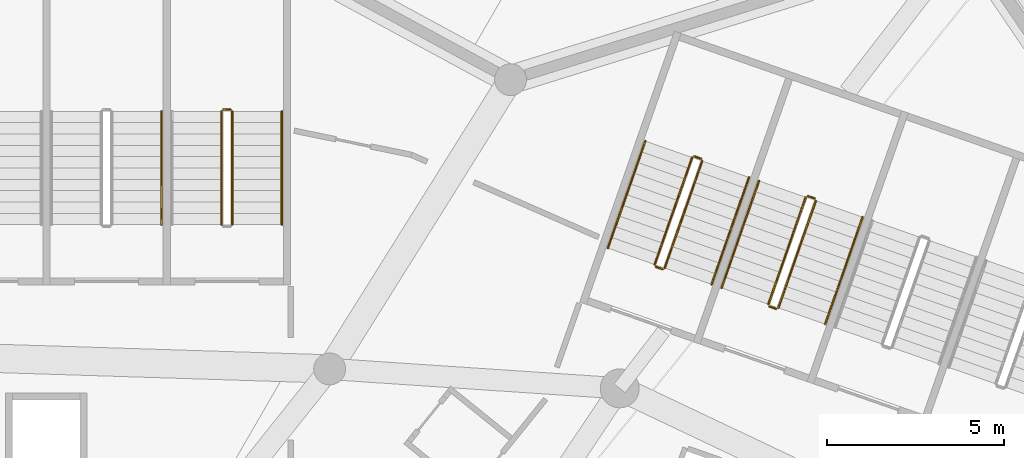
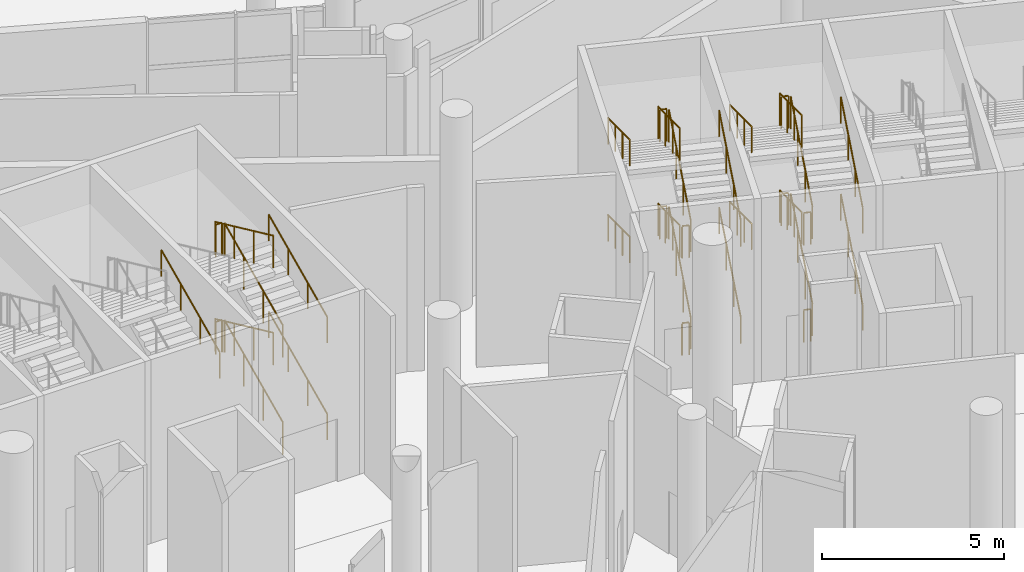
# One storey, part 250 of 255: 33 railings.
"""IFC4 building model written with IfcOpenShell, lengths in metres."""

from ifc_helpers import new_model, si_unit, direction, frame, origin, origin_2d, place, context, subcontext, project, spatial, circle, extrude, material, type_object, element, save


model = new_model("IFC4")

# Units and contexts
model_context = context("Model", 3, precision=1e-05, world=origin(), true_north=direction((0.0, 1.0)))
body_context = subcontext(model_context, "Body", "Model", "MODEL_VIEW")
ifc_project = project(units=[si_unit("LENGTHUNIT", "METRE"), si_unit("AREAUNIT", "SQUARE_METRE"), si_unit("VOLUMEUNIT", "CUBIC_METRE"), si_unit("PLANEANGLEUNIT", "RADIAN"), si_unit("MASSUNIT", "GRAM", prefix="KILO")], contexts=[model_context])

# Site, building, storey
site_placement = place(None, origin())
site = spatial("IfcSite", under=ifc_project, at=site_placement, CompositionType="ELEMENT")
building_placement = place(site_placement, origin())
building = spatial("IfcBuilding", under=site, at=building_placement, Name="Meseta Stadium", CompositionType="ELEMENT")
storey_placement = place(building_placement, origin())
storey = spatial("IfcBuildingStorey", under=building, at=storey_placement, Name="L00", CompositionType="ELEMENT", Elevation=0.0)

# Railings
ifc_material_1 = material(Name="Steel S355", Category="steel")
railing_type_1 = type_object("IfcRailingType", Name="Stair guard 1100", PredefinedType="GUARDRAIL", material=ifc_material_1)
railing_1_placement = place(storey_placement, frame((59.003173828125, 91.85400390625, 0.147705078125)))
element("IfcRailing", 1, at=railing_1_placement, inside=storey, type_object=railing_type_1, Name="ST31 L00 guard 1", PredefinedType="GUARDRAIL", context=body_context, shape_type="SweptSolid", body=[
    extrude(circle(Radius=0.02392578125, at=origin_2d()), frame((0.0, 0.0, 1.076171875), z_axis=(0.299858671601, 0.856976550022, 0.419137172986), x_axis=(-0.943886898693, 0.330268863922, 0.0)), (0.0, 0.0, 1.0), 3.524658203125),
    extrude(circle(Radius=0.02099609375, at=origin_2d()), origin(), (0.0, 0.0, 1.0), 1.052001953125),
    extrude(circle(Radius=0.02099609375, at=origin_2d()), frame((0.352294921875, 1.0068359375, 0.492431640625)), (0.0, 0.0, 1.0), 1.052001953125),
    extrude(circle(Radius=0.02099609375, at=origin_2d()), frame((0.70458984375, 2.013671875, 0.98486328125)), (0.0, 0.0, 1.0), 1.052001953125),
    extrude(circle(Radius=0.02099609375, at=origin_2d()), frame((1.056884765625, 3.0205078125, 1.477294921875)), (0.0, 0.0, 1.0), 1.052001953125),
])
railing_2_placement = place(storey_placement, frame((60.029296875, 94.938232421875, 1.625)))
element("IfcRailing", 2, at=railing_2_placement, inside=storey, type_object=railing_type_1, Name="ST31 L00 guard 2", PredefinedType="GUARDRAIL", context=body_context, shape_type="SweptSolid", body=[
    extrude(circle(Radius=0.02392578125, at=origin_2d()), frame((0.0, 0.0, 1.076171875), z_axis=(-0.944067610699, 0.329751946816, 0.0), x_axis=(-0.329751946816, -0.944067610699, 0.0)), (0.0, 0.0, 1.0), 0.199951171875),
    extrude(circle(Radius=0.02099609375, at=origin_2d()), origin(), (0.0, 0.0, 1.0), 1.052001953125),
    extrude(circle(Radius=0.02099609375, at=origin_2d()), frame((-0.188720703125, 0.06591796875, 0.0)), (0.0, 0.0, 1.0), 1.052001953125),
])
railing_3_placement = place(storey_placement, frame((59.77685546875, 94.9736328125, 1.772705078125)))
element("IfcRailing", 3, at=railing_3_placement, inside=storey, type_object=railing_type_1, Name="ST31 L00 guard 3", PredefinedType="GUARDRAIL", context=body_context, shape_type="SweptSolid", body=[
    extrude(circle(Radius=0.02392578125, at=origin_2d()), frame((0.0, 0.0, 1.076171875), z_axis=(-0.299858671601, -0.856976550022, 0.419137172986), x_axis=(0.943886898693, -0.330268863922, 0.0)), (0.0, 0.0, 1.0), 3.524658203125),
    extrude(circle(Radius=0.02099609375, at=origin_2d()), origin(), (0.0, 0.0, 1.0), 1.052001953125),
    extrude(circle(Radius=0.02099609375, at=origin_2d()), frame((-0.352294921875, -1.0068359375, 0.492431640625)), (0.0, 0.0, 1.0), 1.052001953125),
    extrude(circle(Radius=0.02099609375, at=origin_2d()), frame((-0.70458984375, -2.013671875, 0.98486328125)), (0.0, 0.0, 1.0), 1.052001953125),
    extrude(circle(Radius=0.02099609375, at=origin_2d()), frame((-1.056884765625, -3.0205078125, 1.477294921875)), (0.0, 0.0, 1.0), 1.052001953125),
])
railing_4_placement = place(storey_placement, frame((58.939453125, 91.8232421875, 3.25)))
element("IfcRailing", 4, at=railing_4_placement, inside=storey, type_object=railing_type_1, Name="ST31 L00 guard 4", PredefinedType="GUARDRAIL", context=body_context, shape_type="SweptSolid", body=[
    extrude(circle(Radius=0.02392578125, at=origin_2d()), frame((0.0, 0.0, 1.076171875), z_axis=(-0.943686935281, 0.330839792317, 0.0), x_axis=(-0.330839792317, -0.943686935281, 0.0)), (0.0, 0.0, 1.0), 0.199951171875),
    extrude(circle(Radius=0.02099609375, at=origin_2d()), origin(), (0.0, 0.0, 1.0), 1.052001953125),
    extrude(circle(Radius=0.02099609375, at=origin_2d()), frame((-0.188720703125, 0.066162109375, 0.0)), (0.0, 0.0, 1.0), 1.052001953125),
])
railing_5_placement = place(storey_placement, frame((59.003173828125, 91.85400390625, 3.397705078125)))
element("IfcRailing", 5, at=railing_5_placement, inside=storey, type_object=railing_type_1, Name="ST31 L00 guard 5", PredefinedType="GUARDRAIL", context=body_context, shape_type="SweptSolid", body=[
    extrude(circle(Radius=0.02392578125, at=origin_2d()), frame((0.0, 0.0, 1.076171875), z_axis=(0.299858671601, 0.856976550022, 0.419137172986), x_axis=(-0.943886898693, 0.330268863922, 0.0)), (0.0, 0.0, 1.0), 3.524658203125),
    extrude(circle(Radius=0.02099609375, at=origin_2d()), origin(), (0.0, 0.0, 1.0), 1.052001953125),
    extrude(circle(Radius=0.02099609375, at=origin_2d()), frame((0.352294921875, 1.0068359375, 0.492431640625)), (0.0, 0.0, 1.0), 1.052001953125),
    extrude(circle(Radius=0.02099609375, at=origin_2d()), frame((0.70458984375, 2.013671875, 0.98486328125)), (0.0, 0.0, 1.0), 1.052001953125),
    extrude(circle(Radius=0.02099609375, at=origin_2d()), frame((1.056884765625, 3.0205078125, 1.477294921875)), (0.0, 0.0, 1.0), 1.052001953125),
])
railing_6_placement = place(storey_placement, frame((60.029296875, 94.938232421875, 4.875)))
element("IfcRailing", 6, at=railing_6_placement, inside=storey, type_object=railing_type_1, Name="ST31 L00 guard 6", PredefinedType="GUARDRAIL", context=body_context, shape_type="SweptSolid", body=[
    extrude(circle(Radius=0.02392578125, at=origin_2d()), frame((0.0, 0.0, 1.076171875), z_axis=(-0.944067610699, 0.329751946816, 0.0), x_axis=(-0.329751946816, -0.944067610699, 0.0)), (0.0, 0.0, 1.0), 0.199951171875),
    extrude(circle(Radius=0.02099609375, at=origin_2d()), origin(), (0.0, 0.0, 1.0), 1.052001953125),
    extrude(circle(Radius=0.02099609375, at=origin_2d()), frame((-0.188720703125, 0.06591796875, 0.0)), (0.0, 0.0, 1.0), 1.052001953125),
])
railing_7_placement = place(storey_placement, frame((59.77685546875, 94.9736328125, 5.022705078125)))
element("IfcRailing", 7, at=railing_7_placement, inside=storey, type_object=railing_type_1, Name="ST31 L00 guard 7", PredefinedType="GUARDRAIL", context=body_context, shape_type="SweptSolid", body=[
    extrude(circle(Radius=0.02392578125, at=origin_2d()), frame((0.0, 0.0, 1.076171875), z_axis=(-0.299858671601, -0.856976550022, 0.419137172986), x_axis=(0.943886898693, -0.330268863922, 0.0)), (0.0, 0.0, 1.0), 3.524658203125),
    extrude(circle(Radius=0.02099609375, at=origin_2d()), origin(), (0.0, 0.0, 1.0), 1.052001953125),
    extrude(circle(Radius=0.02099609375, at=origin_2d()), frame((-0.352294921875, -1.0068359375, 0.492431640625)), (0.0, 0.0, 1.0), 1.052001953125),
    extrude(circle(Radius=0.02099609375, at=origin_2d()), frame((-0.70458984375, -2.013671875, 0.98486328125)), (0.0, 0.0, 1.0), 1.052001953125),
    extrude(circle(Radius=0.02099609375, at=origin_2d()), frame((-1.056884765625, -3.0205078125, 1.477294921875)), (0.0, 0.0, 1.0), 1.052001953125),
])
railing_8_placement = place(storey_placement, frame((58.939453125, 91.8232421875, 0.0)))
element("IfcRailing", 8, at=railing_8_placement, inside=storey, type_object=railing_type_1, Name="ST31 L00 guard 8", PredefinedType="GUARDRAIL", context=body_context, shape_type="SweptSolid", body=[
    extrude(circle(Radius=0.02392578125, at=origin_2d()), frame((0.0, 0.0, 1.076171875), z_axis=(-0.943686935281, 0.330839792317, 0.0), x_axis=(-0.330839792317, -0.943686935281, 0.0)), (0.0, 0.0, 1.0), 0.199951171875),
    extrude(circle(Radius=0.02099609375, at=origin_2d()), origin(), (0.0, 0.0, 1.0), 1.052001953125),
    extrude(circle(Radius=0.02099609375, at=origin_2d()), frame((-0.188720703125, 0.066162109375, 0.0)), (0.0, 0.0, 1.0), 1.052001953125),
])
railing_9_placement = place(storey_placement, frame((55.7939453125, 92.97705078125, 0.147705078125)))
element("IfcRailing", 9, at=railing_9_placement, inside=storey, type_object=railing_type_1, Name="ST32 L00 guard 1", PredefinedType="GUARDRAIL", context=body_context, shape_type="SweptSolid", body=[
    extrude(circle(Radius=0.02392578125, at=origin_2d()), frame((0.0, 0.0, 1.076171875), z_axis=(0.299876472244, 0.856958151566, 0.419162054412), x_axis=(-0.943878576031, 0.330292648585, 0.0)), (0.0, 0.0, 1.0), 3.5244140625),
    extrude(circle(Radius=0.02099609375, at=origin_2d()), origin(), (0.0, 0.0, 1.0), 1.052001953125),
    extrude(circle(Radius=0.02099609375, at=origin_2d()), frame((0.352294921875, 1.0068359375, 0.492431640625)), (0.0, 0.0, 1.0), 1.052001953125),
    extrude(circle(Radius=0.02099609375, at=origin_2d()), frame((0.70458984375, 2.013427734375, 0.98486328125)), (0.0, 0.0, 1.0), 1.052001953125),
    extrude(circle(Radius=0.02099609375, at=origin_2d()), frame((1.056884765625, 3.020263671875, 1.477294921875)), (0.0, 0.0, 1.0), 1.052001953125),
])
railing_10_placement = place(storey_placement, frame((56.8203125, 96.06103515625, 1.625)))
element("IfcRailing", 10, at=railing_10_placement, inside=storey, type_object=railing_type_1, Name="ST32 L00 guard 2", PredefinedType="GUARDRAIL", context=body_context, shape_type="SweptSolid", body=[
    extrude(circle(Radius=0.02392578125, at=origin_2d()), frame((0.0, 0.0, 1.076171875), z_axis=(-0.943820328543, 0.330459055601, 0.0), x_axis=(-0.330459055601, -0.943820328543, 0.0)), (0.0, 0.0, 1.0), 0.2001953125),
    extrude(circle(Radius=0.02099609375, at=origin_2d()), origin(), (0.0, 0.0, 1.0), 1.052001953125),
    extrude(circle(Radius=0.02099609375, at=origin_2d()), frame((-0.18896484375, 0.066162109375, 0.0)), (0.0, 0.0, 1.0), 1.052001953125),
])
railing_11_placement = place(storey_placement, frame((56.567626953125, 96.096435546875, 1.772705078125)))
element("IfcRailing", 11, at=railing_11_placement, inside=storey, type_object=railing_type_1, Name="ST32 L00 guard 3", PredefinedType="GUARDRAIL", context=body_context, shape_type="SweptSolid", body=[
    extrude(circle(Radius=0.02392578125, at=origin_2d()), frame((0.0, 0.0, 1.076171875), z_axis=(-0.299876472244, -0.856958151566, 0.419162054412), x_axis=(0.943878576031, -0.330292648585, 0.0)), (0.0, 0.0, 1.0), 3.5244140625),
    extrude(circle(Radius=0.02099609375, at=origin_2d()), origin(), (0.0, 0.0, 1.0), 1.052001953125),
    extrude(circle(Radius=0.02099609375, at=origin_2d()), frame((-0.352294921875, -1.0068359375, 0.492431640625)), (0.0, 0.0, 1.0), 1.052001953125),
    extrude(circle(Radius=0.02099609375, at=origin_2d()), frame((-0.70458984375, -2.013427734375, 0.98486328125)), (0.0, 0.0, 1.0), 1.052001953125),
    extrude(circle(Radius=0.02099609375, at=origin_2d()), frame((-1.056884765625, -3.020263671875, 1.477294921875)), (0.0, 0.0, 1.0), 1.052001953125),
])
railing_12_placement = place(storey_placement, frame((55.730224609375, 92.9462890625, 3.25)))
element("IfcRailing", 12, at=railing_12_placement, inside=storey, type_object=railing_type_1, Name="ST32 L00 guard 4", PredefinedType="GUARDRAIL", context=body_context, shape_type="SweptSolid", body=[
    extrude(circle(Radius=0.02392578125, at=origin_2d()), frame((0.0, 0.0, 1.076171875), z_axis=(-0.943686935281, 0.330839792317, 0.0), x_axis=(-0.330839792317, -0.943686935281, 0.0)), (0.0, 0.0, 1.0), 0.199951171875),
    extrude(circle(Radius=0.02099609375, at=origin_2d()), origin(), (0.0, 0.0, 1.0), 1.052001953125),
    extrude(circle(Radius=0.02099609375, at=origin_2d()), frame((-0.188720703125, 0.066162109375, 0.0)), (0.0, 0.0, 1.0), 1.052001953125),
])
railing_13_placement = place(storey_placement, frame((55.7939453125, 92.97705078125, 3.397705078125)))
element("IfcRailing", 13, at=railing_13_placement, inside=storey, type_object=railing_type_1, Name="ST32 L00 guard 5", PredefinedType="GUARDRAIL", context=body_context, shape_type="SweptSolid", body=[
    extrude(circle(Radius=0.02392578125, at=origin_2d()), frame((0.0, 0.0, 1.076171875), z_axis=(0.299876472244, 0.856958151566, 0.419162054412), x_axis=(-0.943878576031, 0.330292648585, 0.0)), (0.0, 0.0, 1.0), 3.5244140625),
    extrude(circle(Radius=0.02099609375, at=origin_2d()), origin(), (0.0, 0.0, 1.0), 1.052001953125),
    extrude(circle(Radius=0.02099609375, at=origin_2d()), frame((0.352294921875, 1.0068359375, 0.492431640625)), (0.0, 0.0, 1.0), 1.052001953125),
    extrude(circle(Radius=0.02099609375, at=origin_2d()), frame((0.70458984375, 2.013427734375, 0.98486328125)), (0.0, 0.0, 1.0), 1.052001953125),
    extrude(circle(Radius=0.02099609375, at=origin_2d()), frame((1.056884765625, 3.020263671875, 1.477294921875)), (0.0, 0.0, 1.0), 1.052001953125),
])
railing_14_placement = place(storey_placement, frame((56.8203125, 96.06103515625, 4.875)))
element("IfcRailing", 14, at=railing_14_placement, inside=storey, type_object=railing_type_1, Name="ST32 L00 guard 6", PredefinedType="GUARDRAIL", context=body_context, shape_type="SweptSolid", body=[
    extrude(circle(Radius=0.02392578125, at=origin_2d()), frame((0.0, 0.0, 1.076171875), z_axis=(-0.943820328543, 0.330459055601, 0.0), x_axis=(-0.330459055601, -0.943820328543, 0.0)), (0.0, 0.0, 1.0), 0.2001953125),
    extrude(circle(Radius=0.02099609375, at=origin_2d()), origin(), (0.0, 0.0, 1.0), 1.052001953125),
    extrude(circle(Radius=0.02099609375, at=origin_2d()), frame((-0.18896484375, 0.066162109375, 0.0)), (0.0, 0.0, 1.0), 1.052001953125),
])
railing_15_placement = place(storey_placement, frame((56.567626953125, 96.096435546875, 5.022705078125)))
element("IfcRailing", 15, at=railing_15_placement, inside=storey, type_object=railing_type_1, Name="ST32 L00 guard 7", PredefinedType="GUARDRAIL", context=body_context, shape_type="SweptSolid", body=[
    extrude(circle(Radius=0.02392578125, at=origin_2d()), frame((0.0, 0.0, 1.076171875), z_axis=(-0.299876472244, -0.856958151566, 0.419162054412), x_axis=(0.943878576031, -0.330292648585, 0.0)), (0.0, 0.0, 1.0), 3.5244140625),
    extrude(circle(Radius=0.02099609375, at=origin_2d()), origin(), (0.0, 0.0, 1.0), 1.052001953125),
    extrude(circle(Radius=0.02099609375, at=origin_2d()), frame((-0.352294921875, -1.0068359375, 0.492431640625)), (0.0, 0.0, 1.0), 1.052001953125),
    extrude(circle(Radius=0.02099609375, at=origin_2d()), frame((-0.70458984375, -2.013427734375, 0.98486328125)), (0.0, 0.0, 1.0), 1.052001953125),
    extrude(circle(Radius=0.02099609375, at=origin_2d()), frame((-1.056884765625, -3.020263671875, 1.477294921875)), (0.0, 0.0, 1.0), 1.052001953125),
])
railing_16_placement = place(storey_placement, frame((55.730224609375, 92.9462890625, 0.0)))
element("IfcRailing", 16, at=railing_16_placement, inside=storey, type_object=railing_type_1, Name="ST32 L00 guard 8", PredefinedType="GUARDRAIL", context=body_context, shape_type="SweptSolid", body=[
    extrude(circle(Radius=0.02392578125, at=origin_2d()), frame((0.0, 0.0, 1.076171875), z_axis=(-0.943686935281, 0.330839792317, 0.0), x_axis=(-0.330839792317, -0.943686935281, 0.0)), (0.0, 0.0, 1.0), 0.199951171875),
    extrude(circle(Radius=0.02099609375, at=origin_2d()), origin(), (0.0, 0.0, 1.0), 1.052001953125),
    extrude(circle(Radius=0.02099609375, at=origin_2d()), frame((-0.188720703125, 0.066162109375, 0.0)), (0.0, 0.0, 1.0), 1.052001953125),
])
railing_17_placement = place(storey_placement, frame((43.583251953125, 94.199951171875, 0.147705078125)))
element("IfcRailing", 17, at=railing_17_placement, inside=storey, type_object=railing_type_1, Name="ST33 L00 guard 1", PredefinedType="GUARDRAIL", context=body_context, shape_type="SweptSolid", body=[
    extrude(circle(Radius=0.02392578125, at=origin_2d()), frame((0.0, 0.0, 1.076171875), z_axis=(0.0, 0.907916804346, 0.419150422148), x_axis=(-1.0, 0.0, 0.0)), (0.0, 0.0, 1.0), 3.5244140625),
    extrude(circle(Radius=0.02099609375, at=origin_2d()), origin(), (0.0, 0.0, 1.0), 1.052001953125),
    extrude(circle(Radius=0.02099609375, at=origin_2d()), frame((0.0, 1.066650390625, 0.492431640625)), (0.0, 0.0, 1.0), 1.052001953125),
    extrude(circle(Radius=0.02099609375, at=origin_2d()), frame((0.0, 2.13330078125, 0.98486328125)), (0.0, 0.0, 1.0), 1.052001953125),
    extrude(circle(Radius=0.02099609375, at=origin_2d()), frame((0.0, 3.199951171875, 1.477294921875)), (0.0, 0.0, 1.0), 1.052001953125),
])
railing_18_placement = place(storey_placement, frame((43.533447265625, 97.449951171875, 1.625)))
element("IfcRailing", 18, at=railing_18_placement, inside=storey, type_object=railing_type_1, Name="ST33 L00 guard 2", PredefinedType="GUARDRAIL", context=body_context, shape_type="SweptSolid", body=[
    extrude(circle(Radius=0.02392578125, at=origin_2d()), frame((0.0, 0.0, 1.076171875), z_axis=(-1.0, 0.0, 0.0), x_axis=(0.0, -1.0, 0.0)), (0.0, 0.0, 1.0), 0.2001953125),
    extrude(circle(Radius=0.02099609375, at=origin_2d()), origin(), (0.0, 0.0, 1.0), 1.052001953125),
    extrude(circle(Radius=0.02099609375, at=origin_2d()), frame((-0.2001953125, 0.0, 0.0)), (0.0, 0.0, 1.0), 1.052001953125),
])
railing_19_placement = place(storey_placement, frame((43.283447265625, 97.39990234375, 1.772705078125)))
element("IfcRailing", 19, at=railing_19_placement, inside=storey, type_object=railing_type_1, Name="ST33 L00 guard 3", PredefinedType="GUARDRAIL", context=body_context, shape_type="SweptSolid", body=[
    extrude(circle(Radius=0.02392578125, at=origin_2d()), frame((0.0, 0.0, 1.076171875), z_axis=(0.0, -0.907916804346, 0.419150422148), x_axis=(1.0, 0.0, 0.0)), (0.0, 0.0, 1.0), 3.5244140625),
    extrude(circle(Radius=0.02099609375, at=origin_2d()), origin(), (0.0, 0.0, 1.0), 1.052001953125),
    extrude(circle(Radius=0.02099609375, at=origin_2d()), frame((0.0, -1.066650390625, 0.492431640625)), (0.0, 0.0, 1.0), 1.052001953125),
    extrude(circle(Radius=0.02099609375, at=origin_2d()), frame((0.0, -2.13330078125, 0.98486328125)), (0.0, 0.0, 1.0), 1.052001953125),
    extrude(circle(Radius=0.02099609375, at=origin_2d()), frame((0.0, -3.199951171875, 1.477294921875)), (0.0, 0.0, 1.0), 1.052001953125),
])
railing_20_placement = place(storey_placement, frame((43.583251953125, 94.199951171875, 3.397705078125)))
element("IfcRailing", 20, at=railing_20_placement, inside=storey, type_object=railing_type_1, Name="ST33 L00 guard 5", PredefinedType="GUARDRAIL", context=body_context, shape_type="SweptSolid", body=[
    extrude(circle(Radius=0.02392578125, at=origin_2d()), frame((0.0, 0.0, 1.076171875), z_axis=(0.0, 0.907916804346, 0.419150422148), x_axis=(-1.0, 0.0, 0.0)), (0.0, 0.0, 1.0), 3.5244140625),
    extrude(circle(Radius=0.02099609375, at=origin_2d()), origin(), (0.0, 0.0, 1.0), 1.052001953125),
    extrude(circle(Radius=0.02099609375, at=origin_2d()), frame((0.0, 1.066650390625, 0.492431640625)), (0.0, 0.0, 1.0), 1.052001953125),
    extrude(circle(Radius=0.02099609375, at=origin_2d()), frame((0.0, 2.13330078125, 0.98486328125)), (0.0, 0.0, 1.0), 1.052001953125),
    extrude(circle(Radius=0.02099609375, at=origin_2d()), frame((0.0, 3.199951171875, 1.477294921875)), (0.0, 0.0, 1.0), 1.052001953125),
])
railing_21_placement = place(storey_placement, frame((43.533447265625, 97.449951171875, 4.875)))
element("IfcRailing", 21, at=railing_21_placement, inside=storey, type_object=railing_type_1, Name="ST33 L00 guard 6", PredefinedType="GUARDRAIL", context=body_context, shape_type="SweptSolid", body=[
    extrude(circle(Radius=0.02392578125, at=origin_2d()), frame((0.0, 0.0, 1.076171875), z_axis=(-1.0, 0.0, 0.0), x_axis=(0.0, -1.0, 0.0)), (0.0, 0.0, 1.0), 0.2001953125),
    extrude(circle(Radius=0.02099609375, at=origin_2d()), origin(), (0.0, 0.0, 1.0), 1.052001953125),
    extrude(circle(Radius=0.02099609375, at=origin_2d()), frame((-0.2001953125, 0.0, 0.0)), (0.0, 0.0, 1.0), 1.052001953125),
])
railing_22_placement = place(storey_placement, frame((43.283447265625, 97.39990234375, 5.022705078125)))
element("IfcRailing", 22, at=railing_22_placement, inside=storey, type_object=railing_type_1, Name="ST33 L00 guard 7", PredefinedType="GUARDRAIL", context=body_context, shape_type="SweptSolid", body=[
    extrude(circle(Radius=0.02392578125, at=origin_2d()), frame((0.0, 0.0, 1.076171875), z_axis=(0.0, -0.907916804346, 0.419150422148), x_axis=(1.0, 0.0, 0.0)), (0.0, 0.0, 1.0), 3.5244140625),
    extrude(circle(Radius=0.02099609375, at=origin_2d()), origin(), (0.0, 0.0, 1.0), 1.052001953125),
    extrude(circle(Radius=0.02099609375, at=origin_2d()), frame((0.0, -1.066650390625, 0.492431640625)), (0.0, 0.0, 1.0), 1.052001953125),
    extrude(circle(Radius=0.02099609375, at=origin_2d()), frame((0.0, -2.13330078125, 0.98486328125)), (0.0, 0.0, 1.0), 1.052001953125),
    extrude(circle(Radius=0.02099609375, at=origin_2d()), frame((0.0, -3.199951171875, 1.477294921875)), (0.0, 0.0, 1.0), 1.052001953125),
])
ifc_material_2 = material(Name="Steel S355", Category="steel")
railing_type_2 = type_object("IfcRailingType", Name="Stair handrail 900", PredefinedType="HANDRAIL", material=ifc_material_2)
railing_23_placement = place(storey_placement, frame((60.32470703125, 91.3916015625, 0.147705078125)))
element("IfcRailing", 23, at=railing_23_placement, inside=storey, type_object=railing_type_2, Name="ST31 L00 handrail 1", PredefinedType="HANDRAIL", context=body_context, shape_type="SweptSolid", body=[
    extrude(circle(Radius=0.02392578125, at=origin_2d()), frame((0.0, 0.0, 0.8759765625), z_axis=(0.299858671601, 0.856976550022, 0.419137172986), x_axis=(-0.943886898693, 0.330268863922, 0.0)), (0.0, 0.0, 1.0), 3.524658203125),
    extrude(circle(Radius=0.02099609375, at=origin_2d()), origin(), (0.0, 0.0, 1.0), 0.851806640625),
    extrude(circle(Radius=0.02099609375, at=origin_2d()), frame((0.352294921875, 1.0068359375, 0.492431640625)), (0.0, 0.0, 1.0), 0.851806640625),
    extrude(circle(Radius=0.02099609375, at=origin_2d()), frame((0.70458984375, 2.013671875, 0.98486328125)), (0.0, 0.0, 1.0), 0.851806640625),
    extrude(circle(Radius=0.02099609375, at=origin_2d()), frame((1.056884765625, 3.0205078125, 1.477294921875)), (0.0, 0.0, 1.0), 0.851806640625),
])
railing_24_placement = place(storey_placement, frame((58.45556640625, 95.43603515625, 1.772705078125)))
element("IfcRailing", 24, at=railing_24_placement, inside=storey, type_object=railing_type_2, Name="ST31 L00 handrail 2", PredefinedType="HANDRAIL", context=body_context, shape_type="SweptSolid", body=[
    extrude(circle(Radius=0.02392578125, at=origin_2d()), frame((0.0, 0.0, 0.8759765625), z_axis=(-0.299858671601, -0.856976550022, 0.419137172986), x_axis=(0.943886898693, -0.330268863922, 0.0)), (0.0, 0.0, 1.0), 3.524658203125),
    extrude(circle(Radius=0.02099609375, at=origin_2d()), origin(), (0.0, 0.0, 1.0), 0.851806640625),
    extrude(circle(Radius=0.02099609375, at=origin_2d()), frame((-0.352294921875, -1.0068359375, 0.492431640625)), (0.0, 0.0, 1.0), 0.851806640625),
    extrude(circle(Radius=0.02099609375, at=origin_2d()), frame((-0.70458984375, -2.013671875, 0.98486328125)), (0.0, 0.0, 1.0), 0.851806640625),
    extrude(circle(Radius=0.02099609375, at=origin_2d()), frame((-1.056884765625, -3.0205078125, 1.477294921875)), (0.0, 0.0, 1.0), 0.851806640625),
])
railing_25_placement = place(storey_placement, frame((60.32470703125, 91.3916015625, 3.397705078125)))
element("IfcRailing", 25, at=railing_25_placement, inside=storey, type_object=railing_type_2, Name="ST31 L00 handrail 3", PredefinedType="HANDRAIL", context=body_context, shape_type="SweptSolid", body=[
    extrude(circle(Radius=0.02392578125, at=origin_2d()), frame((0.0, 0.0, 0.8759765625), z_axis=(0.299858671601, 0.856976550022, 0.419137172986), x_axis=(-0.943886898693, 0.330268863922, 0.0)), (0.0, 0.0, 1.0), 3.524658203125),
    extrude(circle(Radius=0.02099609375, at=origin_2d()), origin(), (0.0, 0.0, 1.0), 0.851806640625),
    extrude(circle(Radius=0.02099609375, at=origin_2d()), frame((0.352294921875, 1.0068359375, 0.492431640625)), (0.0, 0.0, 1.0), 0.851806640625),
    extrude(circle(Radius=0.02099609375, at=origin_2d()), frame((0.70458984375, 2.013671875, 0.98486328125)), (0.0, 0.0, 1.0), 0.851806640625),
    extrude(circle(Radius=0.02099609375, at=origin_2d()), frame((1.056884765625, 3.0205078125, 1.477294921875)), (0.0, 0.0, 1.0), 0.851806640625),
])
railing_26_placement = place(storey_placement, frame((58.45556640625, 95.43603515625, 5.022705078125)))
element("IfcRailing", 26, at=railing_26_placement, inside=storey, type_object=railing_type_2, Name="ST31 L00 handrail 4", PredefinedType="HANDRAIL", context=body_context, shape_type="SweptSolid", body=[
    extrude(circle(Radius=0.02392578125, at=origin_2d()), frame((0.0, 0.0, 0.8759765625), z_axis=(-0.299858671601, -0.856976550022, 0.419137172986), x_axis=(0.943886898693, -0.330268863922, 0.0)), (0.0, 0.0, 1.0), 3.524658203125),
    extrude(circle(Radius=0.02099609375, at=origin_2d()), origin(), (0.0, 0.0, 1.0), 0.851806640625),
    extrude(circle(Radius=0.02099609375, at=origin_2d()), frame((-0.352294921875, -1.0068359375, 0.492431640625)), (0.0, 0.0, 1.0), 0.851806640625),
    extrude(circle(Radius=0.02099609375, at=origin_2d()), frame((-0.70458984375, -2.013671875, 0.98486328125)), (0.0, 0.0, 1.0), 0.851806640625),
    extrude(circle(Radius=0.02099609375, at=origin_2d()), frame((-1.056884765625, -3.0205078125, 1.477294921875)), (0.0, 0.0, 1.0), 0.851806640625),
])
railing_27_placement = place(storey_placement, frame((57.115478515625, 92.5146484375, 0.147705078125)))
element("IfcRailing", 27, at=railing_27_placement, inside=storey, type_object=railing_type_2, Name="ST32 L00 handrail 1", PredefinedType="HANDRAIL", context=body_context, shape_type="SweptSolid", body=[
    extrude(circle(Radius=0.02392578125, at=origin_2d()), frame((0.0, 0.0, 0.8759765625), z_axis=(0.299876472244, 0.856958151566, 0.419162054412), x_axis=(-0.943878576031, 0.330292648585, 0.0)), (0.0, 0.0, 1.0), 3.5244140625),
    extrude(circle(Radius=0.02099609375, at=origin_2d()), origin(), (0.0, 0.0, 1.0), 0.851806640625),
    extrude(circle(Radius=0.02099609375, at=origin_2d()), frame((0.352294921875, 1.0068359375, 0.492431640625)), (0.0, 0.0, 1.0), 0.851806640625),
    extrude(circle(Radius=0.02099609375, at=origin_2d()), frame((0.70458984375, 2.013427734375, 0.98486328125)), (0.0, 0.0, 1.0), 0.851806640625),
    extrude(circle(Radius=0.02099609375, at=origin_2d()), frame((1.056884765625, 3.020263671875, 1.477294921875)), (0.0, 0.0, 1.0), 0.851806640625),
])
railing_28_placement = place(storey_placement, frame((55.246337890625, 96.558837890625, 1.772705078125)))
element("IfcRailing", 28, at=railing_28_placement, inside=storey, type_object=railing_type_2, Name="ST32 L00 handrail 2", PredefinedType="HANDRAIL", context=body_context, shape_type="SweptSolid", body=[
    extrude(circle(Radius=0.02392578125, at=origin_2d()), frame((0.0, 0.0, 0.8759765625), z_axis=(-0.299858671601, -0.856976550022, 0.419137172986), x_axis=(0.943886898693, -0.330268863922, 0.0)), (0.0, 0.0, 1.0), 3.524658203125),
    extrude(circle(Radius=0.02099609375, at=origin_2d()), origin(), (0.0, 0.0, 1.0), 0.851806640625),
    extrude(circle(Radius=0.02099609375, at=origin_2d()), frame((-0.352294921875, -1.0068359375, 0.492431640625)), (0.0, 0.0, 1.0), 0.851806640625),
    extrude(circle(Radius=0.02099609375, at=origin_2d()), frame((-0.70458984375, -2.013671875, 0.98486328125)), (0.0, 0.0, 1.0), 0.851806640625),
    extrude(circle(Radius=0.02099609375, at=origin_2d()), frame((-1.056884765625, -3.0205078125, 1.477294921875)), (0.0, 0.0, 1.0), 0.851806640625),
])
railing_29_placement = place(storey_placement, frame((57.115478515625, 92.5146484375, 3.397705078125)))
element("IfcRailing", 29, at=railing_29_placement, inside=storey, type_object=railing_type_2, Name="ST32 L00 handrail 3", PredefinedType="HANDRAIL", context=body_context, shape_type="SweptSolid", body=[
    extrude(circle(Radius=0.02392578125, at=origin_2d()), frame((0.0, 0.0, 0.8759765625), z_axis=(0.299876472244, 0.856958151566, 0.419162054412), x_axis=(-0.943878576031, 0.330292648585, 0.0)), (0.0, 0.0, 1.0), 3.5244140625),
    extrude(circle(Radius=0.02099609375, at=origin_2d()), origin(), (0.0, 0.0, 1.0), 0.851806640625),
    extrude(circle(Radius=0.02099609375, at=origin_2d()), frame((0.352294921875, 1.0068359375, 0.492431640625)), (0.0, 0.0, 1.0), 0.851806640625),
    extrude(circle(Radius=0.02099609375, at=origin_2d()), frame((0.70458984375, 2.013427734375, 0.98486328125)), (0.0, 0.0, 1.0), 0.851806640625),
    extrude(circle(Radius=0.02099609375, at=origin_2d()), frame((1.056884765625, 3.020263671875, 1.477294921875)), (0.0, 0.0, 1.0), 0.851806640625),
])
railing_30_placement = place(storey_placement, frame((55.246337890625, 96.558837890625, 5.022705078125)))
element("IfcRailing", 30, at=railing_30_placement, inside=storey, type_object=railing_type_2, Name="ST32 L00 handrail 4", PredefinedType="HANDRAIL", context=body_context, shape_type="SweptSolid", body=[
    extrude(circle(Radius=0.02392578125, at=origin_2d()), frame((0.0, 0.0, 0.8759765625), z_axis=(-0.299858671601, -0.856976550022, 0.419137172986), x_axis=(0.943886898693, -0.330268863922, 0.0)), (0.0, 0.0, 1.0), 3.524658203125),
    extrude(circle(Radius=0.02099609375, at=origin_2d()), origin(), (0.0, 0.0, 1.0), 0.851806640625),
    extrude(circle(Radius=0.02099609375, at=origin_2d()), frame((-0.352294921875, -1.0068359375, 0.492431640625)), (0.0, 0.0, 1.0), 0.851806640625),
    extrude(circle(Radius=0.02099609375, at=origin_2d()), frame((-0.70458984375, -2.013671875, 0.98486328125)), (0.0, 0.0, 1.0), 0.851806640625),
    extrude(circle(Radius=0.02099609375, at=origin_2d()), frame((-1.056884765625, -3.0205078125, 1.477294921875)), (0.0, 0.0, 1.0), 0.851806640625),
])
for number, where, name in (
    (31, (44.9833984375, 94.199951171875, 0.147705078125), "ST33 L00 handrail 1"),
    (32, (44.9833984375, 94.199951171875, 3.397705078125), "ST33 L00 handrail 3"),
    (33, (41.583251953125, 94.199951171875, 3.397705078125), "ST34 L00 handrail 3"),
):
    element("IfcRailing", number, at=place(storey_placement, frame(where)), inside=storey, type_object=railing_type_2, Name=name, PredefinedType="HANDRAIL", context=body_context, shape_type="SweptSolid", body=[
        extrude(circle(Radius=0.02392578125, at=origin_2d()), frame((0.0, 0.0, 0.8759765625), z_axis=(0.0, 0.907916804346, 0.419150422148), x_axis=(-1.0, 0.0, 0.0)), (0.0, 0.0, 1.0), 3.5244140625),
        extrude(circle(Radius=0.02099609375, at=origin_2d()), origin(), (0.0, 0.0, 1.0), 0.851806640625),
        extrude(circle(Radius=0.02099609375, at=origin_2d()), frame((0.0, 1.066650390625, 0.492431640625)), (0.0, 0.0, 1.0), 0.851806640625),
        extrude(circle(Radius=0.02099609375, at=origin_2d()), frame((0.0, 2.13330078125, 0.98486328125)), (0.0, 0.0, 1.0), 0.851806640625),
        extrude(circle(Radius=0.02099609375, at=origin_2d()), frame((0.0, 3.199951171875, 1.477294921875)), (0.0, 0.0, 1.0), 0.851806640625),
    ])

save(model, "model.ifc")
